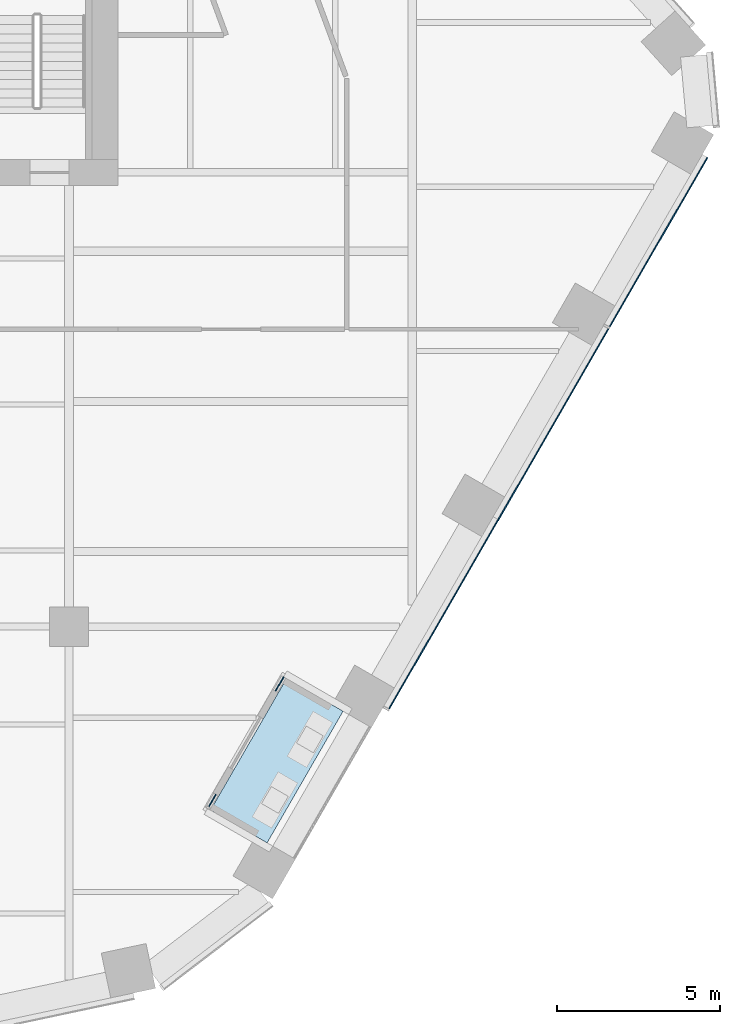
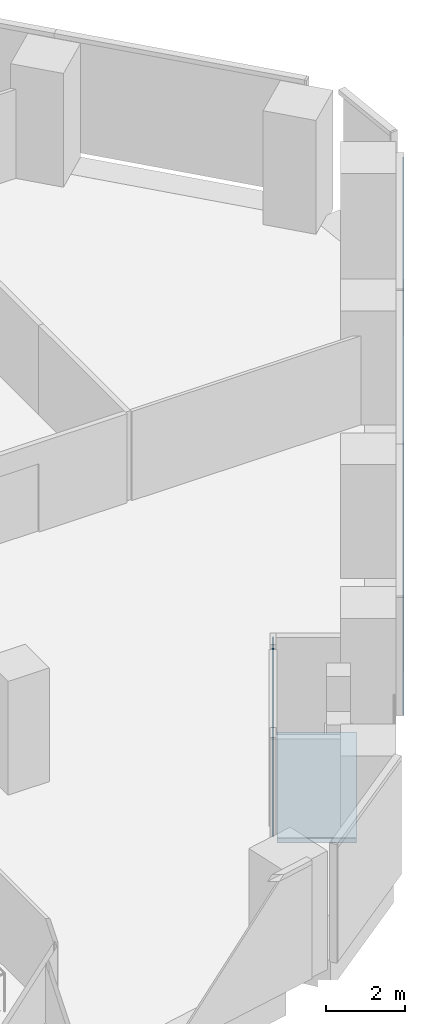
# One storey, part 14 of 24: 5 plates, 1 slab, 2 elements without a shape of their own.
"""IFC4 building model written with IfcOpenShell, lengths in metres."""

from ifc_helpers import new_model, si_unit, direction, frame, origin, origin_2d, place, context, subcontext, project, spatial, polyline, rectangle, outline, extrude, material, layer, layer_set, type_object, element, aggregate, save


model = new_model("IFC4")

# Units and contexts
model_context = context("Model", 3, precision=1e-05, world=origin(), true_north=direction((0.0, 1.0)))
body_context = subcontext(model_context, "Body", "Model", "MODEL_VIEW")
ifc_project = project(units=[si_unit("LENGTHUNIT", "METRE"), si_unit("AREAUNIT", "SQUARE_METRE"), si_unit("VOLUMEUNIT", "CUBIC_METRE"), si_unit("PLANEANGLEUNIT", "RADIAN"), si_unit("MASSUNIT", "GRAM", prefix="KILO")], contexts=[model_context])

# Site, building, storey
site_placement = place(None, origin())
site = spatial("IfcSite", under=ifc_project, at=site_placement, CompositionType="ELEMENT")
building_placement = place(site_placement, origin())
building = spatial("IfcBuilding", under=site, at=building_placement, Name="Isthmus Gate Tower", CompositionType="ELEMENT")
storey_placement = place(building_placement, frame((0.0, 0.0, 159.0)))
storey = spatial("IfcBuildingStorey", under=building, at=storey_placement, Name="L39", CompositionType="ELEMENT", Elevation=159.0)

# Curtain wall, plates
ifc_material_1 = material(Name="Aluminium, pale champagne anodised", Category="aluminium")
ifc_layer_1 = layer(ifc_material_1, 0.199951171875)
ifc_layer_set_1 = layer_set([ifc_layer_1], Name="CW-1 UNITISED CURTAIN WALL 200 DEEP")
curtain_wall_type_1 = type_object("IfcCurtainWallType", Name="CW-1 UNITISED CURTAIN WALL 200 DEEP", PredefinedType="NOTDEFINED", material=ifc_layer_set_1)
curtain_wall_1_placement = place(storey_placement, origin())
curtain_wall_1 = element("IfcCurtainWall", 1, at=curtain_wall_1_placement, inside=storey, type_object=curtain_wall_type_1, Name="CW-1 SE L39", PredefinedType="NOTDEFINED")
ifc_material_2 = material(Name="Laminated low-iron glass, pale blue tint", Category="glass")
ifc_layer_2 = layer(ifc_material_2, 0.035888671875)
ifc_layer_set_2 = layer_set([ifc_layer_2], Name="CW-1 CLEAR GLASS LITE 36")
plate_type_1 = type_object("IfcPlateType", Name="CW-1 CLEAR GLASS LITE 36", PredefinedType="CURTAIN_PANEL", material=ifc_layer_set_2)
plate_1_placement = place(storey_placement, frame((24.964599609375, -13.1240234375, 0.0), z_axis=(0.0, 0.0, 1.0), x_axis=(0.5, 0.866025403784, 0.0)))
plate_1 = element("IfcPlate", 2, at=plate_1_placement, type_object=plate_type_1, Name="CW-1 glass lite", PredefinedType="CURTAIN_PANEL", context=body_context, shape_type="SweptSolid", body=[
    extrude(rectangle(XDim=6.690185546875, YDim=0.035888671875, at=origin_2d()), origin(), (0.0, 0.0, 1.0), 3.510009765625),
])
plate_2_placement = place(storey_placement, frame((28.32470703125, -7.30419921875, 0.0), z_axis=(0.0, 0.0, 1.0), x_axis=(0.5, 0.866025403784, 0.0)))
plate_2 = element("IfcPlate", 3, at=plate_2_placement, type_object=plate_type_1, Name="CW-1 glass lite", PredefinedType="CURTAIN_PANEL", context=body_context, shape_type="SweptSolid", body=[
    extrude(rectangle(XDim=6.750244140625, YDim=0.035888671875, at=origin_2d()), origin(), (0.0, 0.0, 1.0), 3.510009765625),
])
plate_3_placement = place(storey_placement, frame((31.539794921875, -1.735595703125, 0.0), z_axis=(0.0, 0.0, 1.0), x_axis=(0.5, 0.866025403784, 0.0)))
plate_3 = element("IfcPlate", 4, at=plate_3_placement, type_object=plate_type_1, Name="CW-1 glass lite", PredefinedType="CURTAIN_PANEL", context=body_context, shape_type="SweptSolid", body=[
    extrude(rectangle(XDim=5.990234375, YDim=0.035888671875, at=origin_2d()), origin(), (0.0, 0.0, 1.0), 3.510009765625),
])
aggregate(curtain_wall_1, [plate_1, plate_2, plate_3])

ifc_material_3 = material(Name="Aluminium, pale champagne anodised", Category="aluminium")
ifc_layer_3 = layer(ifc_material_3, 0.14990234375)
ifc_layer_set_3 = layer_set([ifc_layer_3], Name="CW-6 LOGGIA BACK WALL GLAZING 150 DEEP")
curtain_wall_type_2 = type_object("IfcCurtainWallType", Name="CW-6 LOGGIA BACK WALL GLAZING 150 DEEP", PredefinedType="NOTDEFINED", material=ifc_layer_set_3)
curtain_wall_2_placement = place(storey_placement, origin())
curtain_wall_2 = element("IfcCurtainWall", 5, at=curtain_wall_2_placement, inside=storey, type_object=curtain_wall_type_2, Name="CW-6 SE L39", PredefinedType="NOTDEFINED")
ifc_material_4 = material(Name="Laminated low-iron glass, clear", Category="glass")
ifc_layer_4 = layer(ifc_material_4, 0.031982421875)
ifc_layer_set_4 = layer_set([ifc_layer_4], Name="CW-6 CLEAR GLASS LITE 32")
plate_type_2 = type_object("IfcPlateType", Name="CW-6 CLEAR GLASS LITE 32", PredefinedType="CURTAIN_PANEL", material=ifc_layer_set_4)
plate_4_placement = place(storey_placement, frame((17.884765625, -18.82275390625, 0.0), z_axis=(0.0, 0.0, 1.0), x_axis=(0.5, 0.866025403784, 0.0)))
plate_4 = element("IfcPlate", 6, at=plate_4_placement, type_object=plate_type_2, Name="CW-6 glass lite", PredefinedType="CURTAIN_PANEL", context=body_context, shape_type="SweptSolid", body=[
    extrude(rectangle(XDim=0.43994140625, YDim=0.031982421875, at=origin_2d()), origin(), (0.0, 0.0, 1.0), 2.929931640625),
])
plate_5_placement = place(storey_placement, frame((19.94482421875, -15.254638671875, 0.0), z_axis=(0.0, 0.0, 1.0), x_axis=(0.5, 0.866025403784, 0.0)))
plate_5 = element("IfcPlate", 7, at=plate_5_placement, type_object=plate_type_2, Name="CW-6 glass lite", PredefinedType="CURTAIN_PANEL", context=body_context, shape_type="SweptSolid", body=[
    extrude(rectangle(XDim=0.5, YDim=0.031982421875, at=origin_2d()), origin(), (0.0, 0.0, 1.0), 2.929931640625),
])
aggregate(curtain_wall_2, [plate_4, plate_5])

# Slab
ifc_material_5 = material(Name="Concrete f'c 50 MPa", Category="concrete")
ifc_layer_5 = layer(ifc_material_5, 0.14990234375)
ifc_layer_set_5 = layer_set([ifc_layer_5], Name="LOGGIA FLOOR SLAB 150")
slab_type = type_object("IfcSlabType", Name="LOGGIA FLOOR SLAB 150", PredefinedType="FLOOR", material=ifc_layer_set_5)
slab_placement = place(storey_placement, frame((0.0, 0.0, -0.14990234375)))
element("IfcSlab", 8, at=slab_placement, inside=storey, type_object=slab_type, Name="LOGGIA FLOOR", PredefinedType="FLOOR", context=body_context, shape_type="SweptSolid", body=[
    extrude(outline(polyline([(19.5634765625, -20.115234375), (21.888427734375, -16.088134765625), (20.156494140625, -15.088134765625), (17.831298828125, -19.115234375), (19.5634765625, -20.115234375)])), origin(), (0.0, 0.0, 1.0), 0.14990234375),
])

save(model, "model.ifc")
